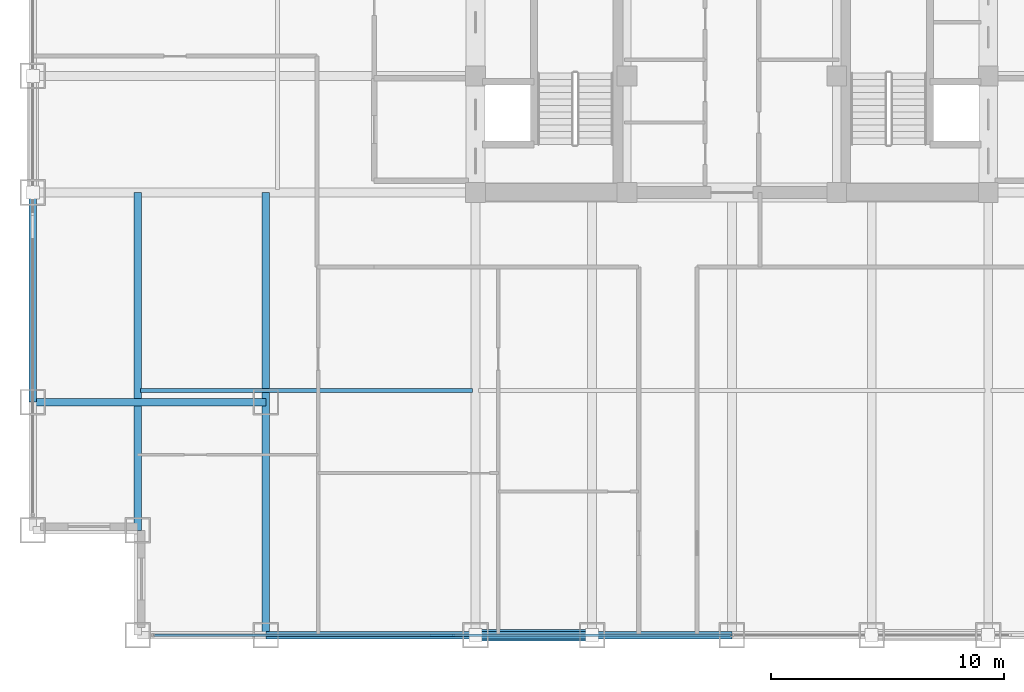
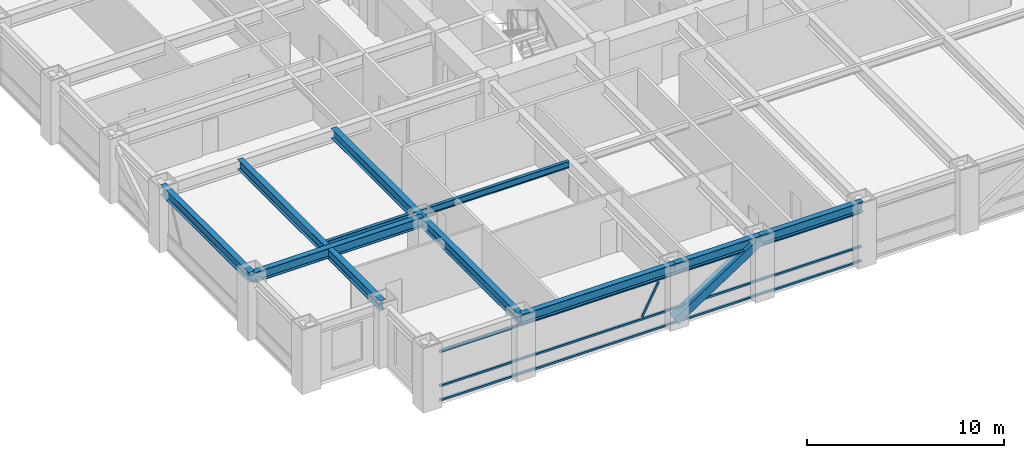
# One storey, part 3 of 24: 8 beams, 5 members, 1 element without a shape of its own.
"""IFC4 building model written with IfcOpenShell, lengths in metres."""

from ifc_helpers import new_model, si_unit, direction, frame, origin, origin_2d, place, context, subcontext, project, spatial, hollow_rectangle, i_section, extrude, source, transform, mapped, material, material_profile, profile_set, type_object, element, aggregate, save


model = new_model("IFC4")

# Units and contexts
model_context = context("Model", 3, precision=1e-05, world=origin(), true_north=direction((0.0, 1.0)))
body_context = subcontext(model_context, "Body", "Model", "MODEL_VIEW")
ifc_project = project(units=[si_unit("LENGTHUNIT", "METRE"), si_unit("AREAUNIT", "SQUARE_METRE"), si_unit("VOLUMEUNIT", "CUBIC_METRE"), si_unit("PLANEANGLEUNIT", "RADIAN"), si_unit("MASSUNIT", "GRAM", prefix="KILO")], contexts=[model_context])

# Site, building, storey
site_placement = place(None, origin())
site = spatial("IfcSite", under=ifc_project, at=site_placement, CompositionType="ELEMENT")
building_placement = place(site_placement, origin())
building = spatial("IfcBuilding", under=site, at=building_placement, Name="Khorayat Bourse Tower", CompositionType="ELEMENT")
storey_placement = place(building_placement, frame((0.0, 0.0, 171.10009765625)))
storey = spatial("IfcBuildingStorey", under=building, at=storey_placement, Name="L39", CompositionType="ELEMENT", Elevation=171.10009765625)

# Beams
ifc_material_1 = material(Name="Steel ASTM A992 Grade 50", Category="steel")
ifc_material_profile_1 = material_profile(ifc_material_1, i_section(OverallWidth=0.324951171875, OverallDepth=0.615966796875, WebThickness=0.013916015625, FlangeThickness=0.021484375, FilletRadius=0.01611328125, at=origin_2d()), Name="W610X174")
ifc_profile_set_1 = profile_set([ifc_material_profile_1], Name="Steel ASTM A992 Grade 50")
beam_type_1 = type_object("IfcBeamType", Name="BM-GIRD-610", PredefinedType="BEAM", material=ifc_profile_set_1)
shared_shape_1 = source(origin(), body_context, "Body", "SweptSolid", [
    extrude(i_section(OverallWidth=0.324951171875, OverallDepth=0.615966796875, WebThickness=0.013916015625, FlangeThickness=0.021484375, FilletRadius=0.01611328125, at=origin_2d()), origin(), (0.0, 0.0, 1.0), 19.0),
])
beam_1_placement = place(storey_placement, frame((-20.0, -30.0, 3.471923828125), z_axis=(0.0, 1.0, 0.0), x_axis=(-1.0, 0.0, 0.0)))
element("IfcBeam", 1, at=beam_1_placement, inside=storey, type_object=beam_type_1, Name="L39 BM-GIRD-610 BM-L39-CNRY-084", PredefinedType="BEAM", context=body_context, shape_type="MappedRepresentation", body=[
    mapped(shared_shape_1, transform((0.0, 0.0, 0.0), scale=1.0)),
])
shared_shape_2 = source(origin(), body_context, "Body", "SweptSolid", [
    extrude(i_section(OverallWidth=0.324951171875, OverallDepth=0.615966796875, WebThickness=0.013916015625, FlangeThickness=0.021484375, FilletRadius=0.01611328125, at=origin_2d()), origin(), (0.0, 0.0, 1.0), 14.5),
])
beam_2_placement = place(storey_placement, frame((-25.5, -25.5, 3.471923828125), z_axis=(0.0, 1.0, 0.0), x_axis=(-1.0, 0.0, 0.0)))
element("IfcBeam", 2, at=beam_2_placement, inside=storey, type_object=beam_type_1, Name="L39 BM-GIRD-610 BM-L39-CNRY-088", PredefinedType="BEAM", context=body_context, shape_type="MappedRepresentation", body=[
    mapped(shared_shape_2, transform((0.0, 0.0, 0.0), scale=1.0)),
])
shared_shape_3 = source(origin(), body_context, "Body", "SweptSolid", [
    extrude(i_section(OverallWidth=0.324951171875, OverallDepth=0.615966796875, WebThickness=0.013916015625, FlangeThickness=0.021484375, FilletRadius=0.01611328125, at=origin_2d()), origin(), (0.0, 0.0, 1.0), 10.0),
])
beam_3_placement = place(storey_placement, frame((-30.0, -20.0, 3.471923828125), z_axis=(1.0, 0.0, 0.0), x_axis=(0.0, 1.0, 0.0)))
element("IfcBeam", 3, at=beam_3_placement, inside=storey, type_object=beam_type_1, Name="L39 BM-GIRD-610 BM-L39-CNRX-093", PredefinedType="BEAM", context=body_context, shape_type="MappedRepresentation", body=[
    mapped(shared_shape_3, transform((0.0, 0.0, 0.0), scale=1.0)),
])
ifc_material_profile_2 = material_profile(ifc_material_1, i_section(OverallWidth=0.180908203125, OverallDepth=0.4169921875, WebThickness=0.010986328125, FlangeThickness=0.018310546875, FilletRadius=0.011962890625, at=origin_2d()), Name="W410X85")
ifc_profile_set_2 = profile_set([ifc_material_profile_2], Name="Steel ASTM A992 Grade 50")
beam_type_2 = type_object("IfcBeamType", Name="BM-JOIST-410", PredefinedType="JOIST", material=ifc_profile_set_2)
shared_shape_4 = source(origin(), body_context, "Body", "SweptSolid", [
    extrude(i_section(OverallWidth=0.180908203125, OverallDepth=0.4169921875, WebThickness=0.010986328125, FlangeThickness=0.018310546875, FilletRadius=0.011962890625, at=origin_2d()), origin(), (0.0, 0.0, 1.0), 14.240234375),
])
beam_4_placement = place(storey_placement, frame((-25.3701171875, -19.5, 3.5712890625), z_axis=(1.0, 0.0, 0.0), x_axis=(0.0, 1.0, 0.0)))
element("IfcBeam", 4, at=beam_4_placement, inside=storey, type_object=beam_type_2, Name="L39 BM-JOIST-410 BM-L39-JSTX-096", PredefinedType="JOIST", context=body_context, shape_type="MappedRepresentation", body=[
    mapped(shared_shape_4, transform((0.0, 0.0, 0.0), scale=1.0)),
])
ifc_material_profile_3 = material_profile(ifc_material_1, i_section(OverallWidth=0.324951171875, OverallDepth=0.615966796875, WebThickness=0.013916015625, FlangeThickness=0.021484375, FilletRadius=0.01611328125, at=origin_2d()), Name="W610X174")
ifc_profile_set_3 = profile_set([ifc_material_profile_3], Name="Steel ASTM A992 Grade 50")
beam_type_3 = type_object("IfcBeamType", Name="BM-SPAN-610", PredefinedType="SPANDREL", material=ifc_profile_set_3)
shared_shape_5 = source(origin(), body_context, "Body", "SweptSolid", [
    extrude(i_section(OverallWidth=0.324951171875, OverallDepth=0.615966796875, WebThickness=0.013916015625, FlangeThickness=0.021484375, FilletRadius=0.01611328125, at=origin_2d()), origin(), (0.0, 0.0, 1.0), 9.0),
])
for number, where, z_axis, x_axis, name in (
    (5, (-20.0, -30.0, 3.471923828125), (1.0, 0.0, 0.0), (0.0, 1.0, 0.0), "L39 BM-SPAN-610 BM-L39-SPN-025"),
    (6, (-30.0, -20.0, 3.471923828125), (0.0, 1.0, 0.0), (-1.0, 0.0, 0.0), "L39 BM-SPAN-610 BM-L39-SPN-060"),
):
    element("IfcBeam", number, at=place(storey_placement, frame(where, z_axis=z_axis, x_axis=x_axis)), inside=storey, type_object=beam_type_3, Name=name, PredefinedType="SPANDREL", context=body_context, shape_type="MappedRepresentation", body=[
        mapped(shared_shape_5, transform((0.0, 0.0, 0.0), scale=1.0)),
    ])
shared_shape_6 = source(origin(), body_context, "Body", "SweptSolid", [
    extrude(i_section(OverallWidth=0.324951171875, OverallDepth=0.615966796875, WebThickness=0.013916015625, FlangeThickness=0.021484375, FilletRadius=0.01611328125, at=origin_2d()), origin(), (0.0, 0.0, 1.0), 5.0),
])
beam_5_placement = place(storey_placement, frame((-11.0, -30.0, 3.471923828125), z_axis=(1.0, 0.0, 0.0), x_axis=(0.0, 1.0, 0.0)))
element("IfcBeam", 7, at=beam_5_placement, inside=storey, type_object=beam_type_3, Name="L39 BM-SPAN-610 BM-L39-SPN-026", PredefinedType="SPANDREL", context=body_context, shape_type="MappedRepresentation", body=[
    mapped(shared_shape_6, transform((0.0, 0.0, 0.0), scale=1.0)),
])
shared_shape_7 = source(origin(), body_context, "Body", "SweptSolid", [
    extrude(i_section(OverallWidth=0.324951171875, OverallDepth=0.615966796875, WebThickness=0.013916015625, FlangeThickness=0.021484375, FilletRadius=0.01611328125, at=origin_2d()), origin(), (0.0, 0.0, 1.0), 6.0),
])
beam_6_placement = place(storey_placement, frame((-6.0, -30.0, 3.471923828125), z_axis=(1.0, 0.0, 0.0), x_axis=(0.0, 1.0, 0.0)))
element("IfcBeam", 8, at=beam_6_placement, inside=storey, type_object=beam_type_3, Name="L39 BM-SPAN-610 BM-L39-SPN-027", PredefinedType="SPANDREL", context=body_context, shape_type="MappedRepresentation", body=[
    mapped(shared_shape_7, transform((0.0, 0.0, 0.0), scale=1.0)),
])

# Member
ifc_material_2 = material(Name="Steel EN 10025-4 S460M", Category="steel")
ifc_material_profile_4 = material_profile(ifc_material_2, hollow_rectangle(XDim=0.5, YDim=0.5, WallThickness=0.028076171875, at=origin_2d()), Name="HSS 500x500x28")
ifc_profile_set_4 = profile_set([ifc_material_profile_4], Name="Steel EN 10025-4 S460M")
member_type_1 = type_object("IfcMemberType", Name="MBR-TUBE-500", PredefinedType="BRACE", material=ifc_profile_set_4)
shared_shape_8 = source(origin(), body_context, "Body", "SweptSolid", [
    extrude(hollow_rectangle(XDim=0.5, YDim=0.5, WallThickness=0.028076171875, at=origin_2d()), origin(), (0.0, 0.0, 1.0), 5.979736328125),
])
member_1_placement = place(storey_placement, frame((-11.0, -30.0, 0.25), z_axis=(0.836160261256, 0.0, 0.548485202623), x_axis=(0.0, 1.0, 0.0)))
element("IfcMember", 9, at=member_1_placement, inside=storey, type_object=member_type_1, Name="L39 Perimeter Tube Brace 01", PredefinedType="BRACE", context=body_context, shape_type="MappedRepresentation", body=[
    mapped(shared_shape_8, transform((0.0, 0.0, 0.0), scale=1.0)),
])

# Curtain wall, members
ifc_material_3 = material(Name="Aluminium EN AW-6063 T6", Category="aluminium")
curtain_wall_type = type_object("IfcCurtainWallType", Name="CW-SYS-03", PredefinedType="NOTDEFINED", material=ifc_material_3)
curtain_wall_placement = place(storey_placement, origin())
curtain_wall = element("IfcCurtainWall", 10, at=curtain_wall_placement, inside=storey, type_object=curtain_wall_type, Name="L39 Curtain Wall CW-L39-S1", PredefinedType="NOTDEFINED")
ifc_material_profile_5 = material_profile(ifc_material_3, hollow_rectangle(XDim=0.1201171875, YDim=0.1201171875, WallThickness=0.0048828125, at=origin_2d()), Name="ALU 120x120x5")
ifc_profile_set_5 = profile_set([ifc_material_profile_5], Name="Aluminium EN AW-6063 T6")
member_type_2 = type_object("IfcMemberType", Name="CWM-DIAG-120", PredefinedType="MULLION", material=ifc_profile_set_5)
shared_shape_9 = source(origin(), body_context, "Body", "SweptSolid", [
    extrude(hollow_rectangle(XDim=0.1201171875, YDim=0.1201171875, WallThickness=0.0048828125, at=origin_2d()), origin(), (0.0, 0.0, 1.0), 2.079345703125),
])
member_2_placement = place(storey_placement, frame((-12.904296875, -30.0, 1.08984375), z_axis=(0.465760949701, 0.0, 0.884910581773), x_axis=(0.0, 1.0, 0.0)))
member_2 = element("IfcMember", 11, at=member_2_placement, type_object=member_type_2, Name="CW-L39-S1 Faceted Diagonal Mullion 1", PredefinedType="MULLION", context=body_context, shape_type="MappedRepresentation", body=[
    mapped(shared_shape_9, transform((0.0, 0.0, 0.0), scale=1.0)),
])
ifc_material_profile_6 = material_profile(ifc_material_3, hollow_rectangle(XDim=0.1201171875, YDim=0.1201171875, WallThickness=0.0048828125, at=origin_2d()), Name="ALU 120x120x5")
ifc_profile_set_6 = profile_set([ifc_material_profile_6], Name="Aluminium EN AW-6063 T6")
member_type_3 = type_object("IfcMemberType", Name="CWT-HORZ-120", PredefinedType="USERDEFINED", material=ifc_profile_set_6)
shared_shape_10 = source(origin(), body_context, "Body", "SweptSolid", [
    extrude(hollow_rectangle(XDim=0.1201171875, YDim=0.1201171875, WallThickness=0.0048828125, at=origin_2d()), origin(), (0.0, 0.0, 1.0), 24.719970703125),
])
member_3_placement = place(storey_placement, frame((-24.780029296875, -30.0, 0.059814453125), z_axis=(1.0, 0.0, 0.0), x_axis=(0.0, 1.0, 0.0)))
member_3 = element("IfcMember", 12, at=member_3_placement, type_object=member_type_3, Name="CW-L39-S1 Horizontal Transom 1-1", ObjectType="TRANSOM", PredefinedType="USERDEFINED", context=body_context, shape_type="MappedRepresentation", body=[
    mapped(shared_shape_10, transform((0.0, 0.0, 0.0), scale=1.0)),
])
member_4_placement = place(storey_placement, frame((-24.780029296875, -30.0, 0.949951171875), z_axis=(1.0, 0.0, 0.0), x_axis=(0.0, 1.0, 0.0)))
member_4 = element("IfcMember", 13, at=member_4_placement, type_object=member_type_3, Name="CW-L39-S1 Horizontal Transom 1-2", ObjectType="TRANSOM", PredefinedType="USERDEFINED", context=body_context, shape_type="MappedRepresentation", body=[
    mapped(shared_shape_10, transform((0.0, 0.0, 0.0), scale=1.0)),
])
member_5_placement = place(storey_placement, frame((-24.780029296875, -30.0, 3.06982421875), z_axis=(1.0, 0.0, 0.0), x_axis=(0.0, 1.0, 0.0)))
member_5 = element("IfcMember", 14, at=member_5_placement, type_object=member_type_3, Name="CW-L39-S1 Horizontal Transom 1-3", ObjectType="TRANSOM", PredefinedType="USERDEFINED", context=body_context, shape_type="MappedRepresentation", body=[
    mapped(shared_shape_10, transform((0.0, 0.0, 0.0), scale=1.0)),
])
aggregate(curtain_wall, [member_3, member_4, member_5, member_2])

save(model, "model.ifc")
